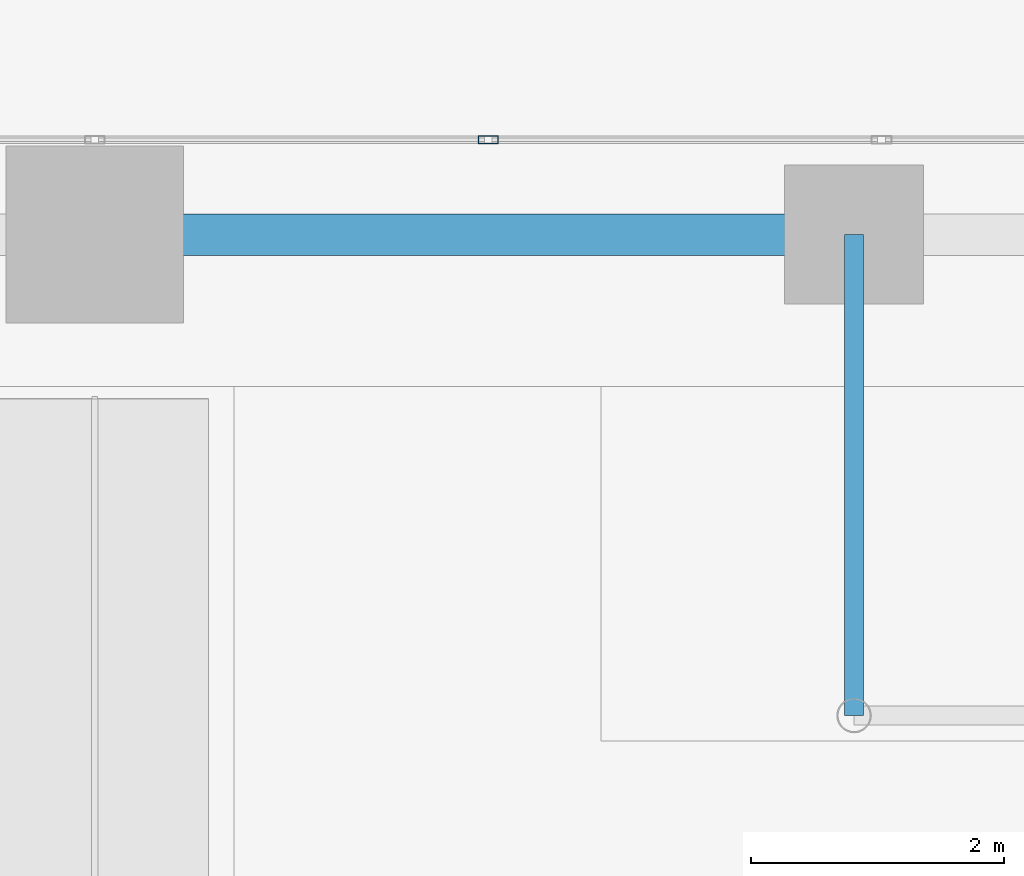
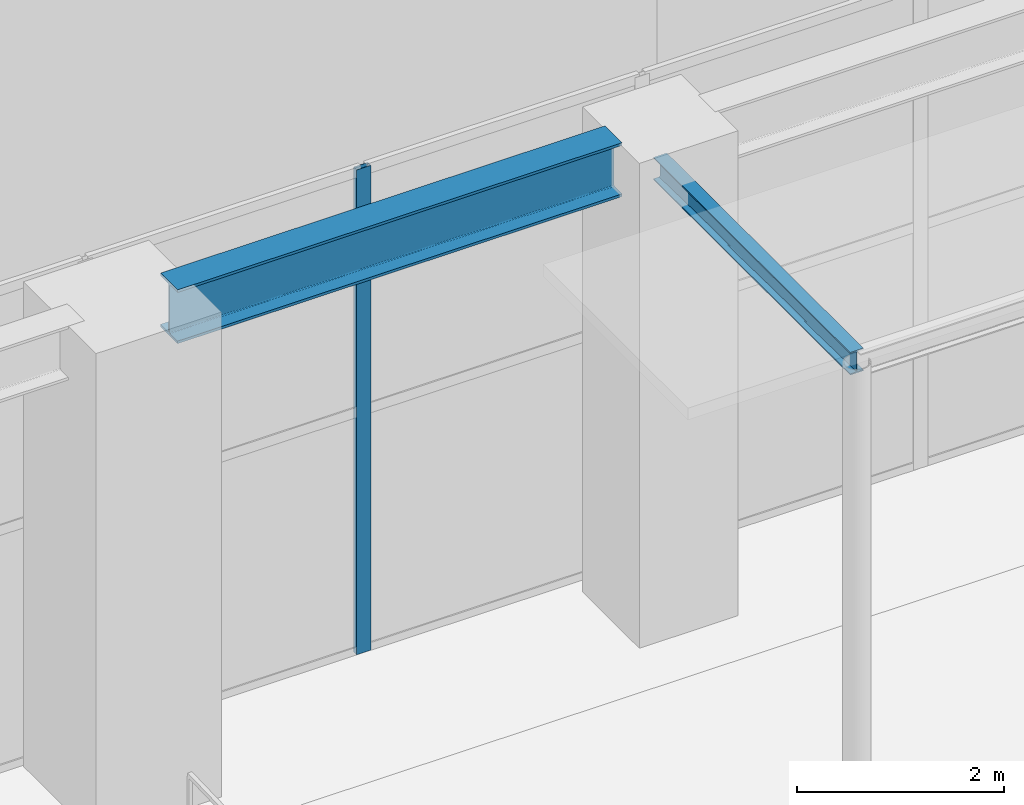
# One storey, part 16 of 49: 2 beams, 1 member, 1 element without a shape of its own.
"""IFC4 building model written with IfcOpenShell, lengths in metres."""

from ifc_helpers import new_model, si_unit, direction, frame, origin, origin_2d, place, context, subcontext, project, spatial, hollow_rectangle, i_section, extrude, material, layer, layer_set, material_profile, profile_set, type_object, element, aggregate, save


model = new_model("IFC4")

# Units and contexts
model_context = context("Model", 3, precision=1e-05, world=origin(), true_north=direction((0.0, 1.0)))
body_context = subcontext(model_context, "Body", "Model", "MODEL_VIEW")
ifc_project = project(units=[si_unit("LENGTHUNIT", "METRE"), si_unit("AREAUNIT", "SQUARE_METRE"), si_unit("VOLUMEUNIT", "CUBIC_METRE"), si_unit("PLANEANGLEUNIT", "RADIAN"), si_unit("MASSUNIT", "GRAM", prefix="KILO")], contexts=[model_context])

# Site, building, storey
site_placement = place(None, origin())
site = spatial("IfcSite", under=ifc_project, at=site_placement, CompositionType="ELEMENT")
building_placement = place(site_placement, origin())
building = spatial("IfcBuilding", under=site, at=building_placement, Name="Sarneth Arch Tower", CompositionType="ELEMENT")
storey_placement = place(building_placement, origin())
storey = spatial("IfcBuildingStorey", under=building, at=storey_placement, Name="L00", CompositionType="ELEMENT", Elevation=0.0)

# Beams
ifc_material_1 = material(Name="Steel S355", Category="steel")
ifc_material_profile_1 = material_profile(ifc_material_1, i_section(OverallWidth=0.14794921875, OverallDepth=0.26611328125, WebThickness=0.007568359375, FlangeThickness=0.012939453125, FilletRadius=0.012939453125, at=origin_2d()), Name="W250x44.8")
ifc_profile_set_1 = profile_set([ifc_material_profile_1], Name="Steel S355")
beam_type_1 = type_object("IfcBeamType", Name="BM-JOIST-250", PredefinedType="JOIST", material=ifc_profile_set_1)
beam_1_placement = place(storey_placement, frame((54.0, 9.199951171875, 5.159912109375), z_axis=(0.0, -1.0, 0.0), x_axis=(1.0, 0.0, 0.0)))
element("IfcBeam", 1, at=beam_1_placement, inside=storey, type_object=beam_type_1, Name="Entrance canopy outrigger beam SOUTH-E.1", PredefinedType="JOIST", context=body_context, shape_type="SweptSolid", body=[
    extrude(i_section(OverallWidth=0.14794921875, OverallDepth=0.26611328125, WebThickness=0.007568359375, FlangeThickness=0.012939453125, FilletRadius=0.012939453125, at=origin_2d()), origin(), (0.0, 0.0, 1.0), 3.800048828125),
])
ifc_material_2 = material(Name="Steel S355", Category="steel")
ifc_material_profile_2 = material_profile(ifc_material_2, i_section(OverallWidth=0.3291015625, OverallDepth=0.635009765625, WebThickness=0.017822265625, FlangeThickness=0.031005859375, FilletRadius=0.01904296875, at=origin_2d()), Name="W610x241")
ifc_profile_set_2 = profile_set([ifc_material_profile_2], Name="Steel S355")
beam_type_2 = type_object("IfcBeamType", Name="BM-POD-610", PredefinedType="BEAM", material=ifc_profile_set_2)
beam_2_placement = place(storey_placement, frame((48.52001953125, 9.199951171875, 5.402587890625), z_axis=(1.0, 0.0, 0.0), x_axis=(0.0, 1.0, 0.0)))
element("IfcBeam", 2, at=beam_2_placement, inside=storey, type_object=beam_type_2, Name="L00 Podium PS girder 5", PredefinedType="BEAM", context=body_context, shape_type="SweptSolid", body=[
    extrude(i_section(OverallWidth=0.3291015625, OverallDepth=0.635009765625, WebThickness=0.017822265625, FlangeThickness=0.031005859375, FilletRadius=0.01904296875, at=origin_2d()), origin(), (0.0, 0.0, 1.0), 4.9599609375),
])

# Curtain wall, member
ifc_material_3 = material(Name="Anodised aluminium Type AA25 and solar-control low-e laminated IGU", Category="aluminium")
ifc_layer = layer(ifc_material_3, 0.199951171875)
ifc_layer_set = layer_set([ifc_layer], Name="Anodised aluminium Type AA25 and solar-control low-e laminated IGU")
curtain_wall_type = type_object("IfcCurtainWallType", Name="CW-ARCH-GLAZE", PredefinedType="NOTDEFINED", material=ifc_layer_set)
curtain_wall_placement = place(storey_placement, origin())
curtain_wall = element("IfcCurtainWall", 3, at=curtain_wall_placement, inside=storey, type_object=curtain_wall_type, Name="L00 South parabolic arch portal curtain wall", PredefinedType="NOTDEFINED")
ifc_material_4 = material(Name="Anodised Aluminium 6063-T6", Category="aluminium")
ifc_material_profile_3 = material_profile(ifc_material_4, hollow_rectangle(XDim=0.06005859375, YDim=0.159912109375, WallThickness=0.00390625, at=origin_2d()), Name="AL-MULL-160x60x4")
ifc_profile_set_3 = profile_set([ifc_material_profile_3], Name="Anodised Aluminium 6063-T6")
member_type = type_object("IfcMemberType", Name="CW-MULLION", PredefinedType="MULLION", material=ifc_profile_set_3)
member_placement = place(storey_placement, frame((51.1083984375, 9.949951171875, 0.0), z_axis=(0.0, 0.0, 1.0), x_axis=(0.0, 1.0, 0.0)))
member = element("IfcMember", 4, at=member_placement, type_object=member_type, Name="CW-SYS-2 mullion 8", PredefinedType="MULLION", context=body_context, shape_type="SweptSolid", body=[
    extrude(hollow_rectangle(XDim=0.06005859375, YDim=0.159912109375, WallThickness=0.00390625, at=origin_2d()), origin(), (0.0, 0.0, 1.0), 5.719970703125),
])
aggregate(curtain_wall, [member])

save(model, "model.ifc")
